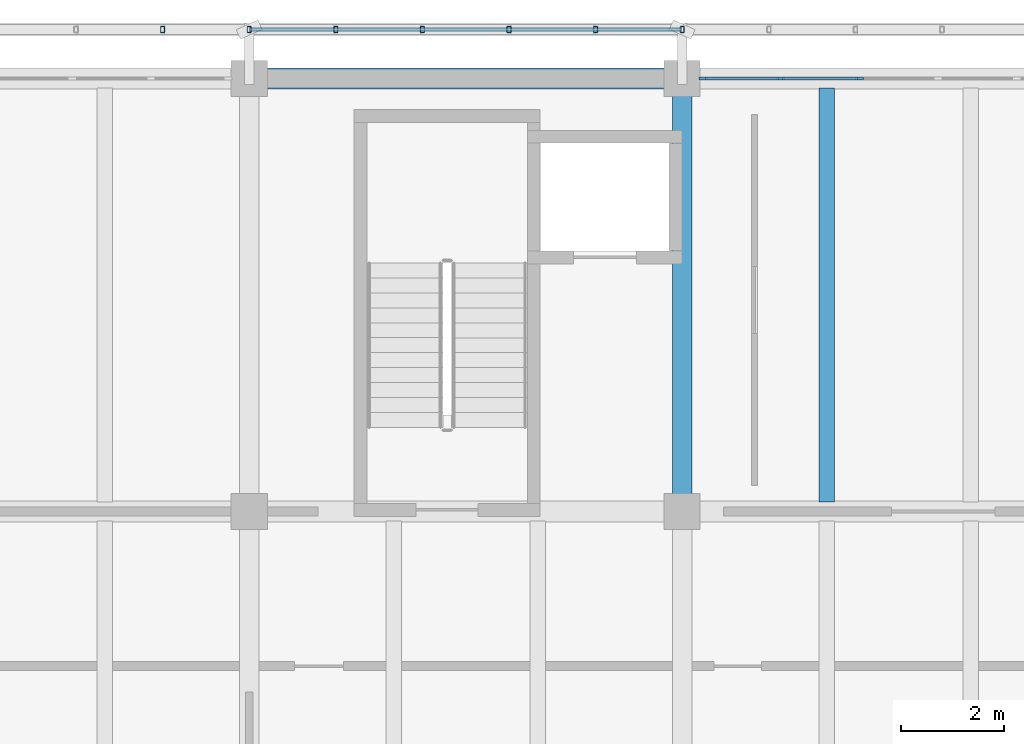
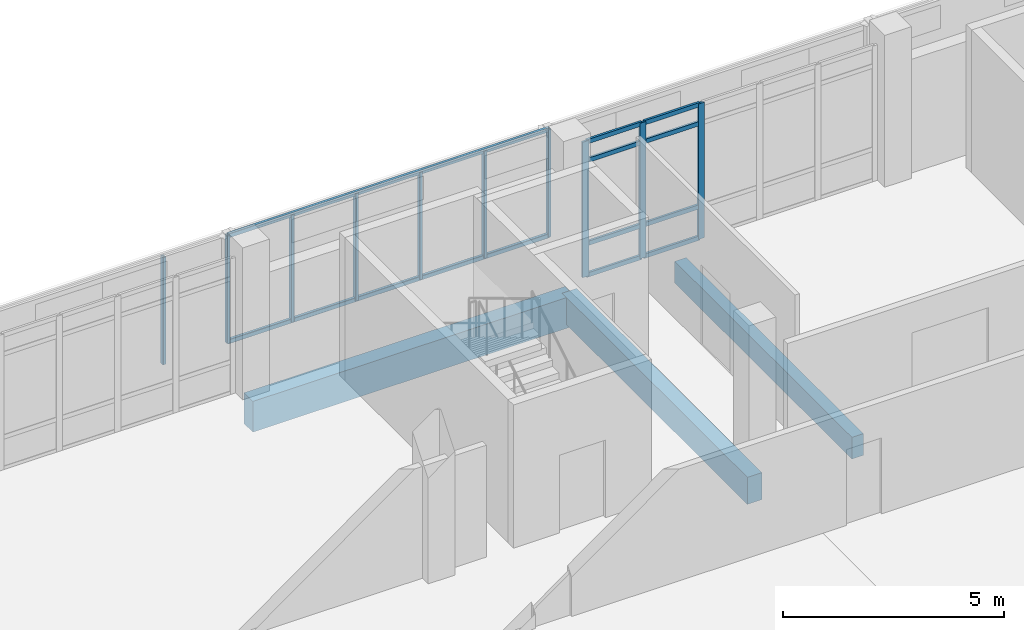
# One storey, part 52 of 137: 20 members, 3 beams, 1 element without a shape of its own.
"""IFC4 building model written with IfcOpenShell, lengths in metres."""

from ifc_helpers import new_model, si_unit, direction, frame, origin, origin_2d, place, context, subcontext, project, spatial, rectangle, hollow_rectangle, extrude, material, material_profile, profile_set, type_object, element, aggregate, save


model = new_model("IFC4")

# Units and contexts
model_context = context("Model", 3, precision=1e-05, world=origin(), true_north=direction((0.0, 1.0)))
body_context = subcontext(model_context, "Body", "Model", "MODEL_VIEW")
ifc_project = project(units=[si_unit("LENGTHUNIT", "METRE"), si_unit("AREAUNIT", "SQUARE_METRE"), si_unit("VOLUMEUNIT", "CUBIC_METRE"), si_unit("PLANEANGLEUNIT", "RADIAN"), si_unit("MASSUNIT", "GRAM", prefix="KILO")], contexts=[model_context])

# Site, building, storey
site_placement = place(None, origin())
site = spatial("IfcSite", under=ifc_project, at=site_placement, CompositionType="ELEMENT")
building_placement = place(site_placement, origin())
building = spatial("IfcBuilding", under=site, at=building_placement, Name="Cinderway Yard Community Centre", CompositionType="ELEMENT")
storey_placement = place(building_placement, frame((0.0, 0.0, 4.800048828125)))
storey = spatial("IfcBuildingStorey", under=building, at=storey_placement, Name="L01", CompositionType="ELEMENT", Elevation=4.800048828125)

# Curtain wall, members
ifc_material_1 = material(Name="Aluminium 6063-T6", Category="aluminium")
curtain_wall_type = type_object("IfcCurtainWallType", Name="ENV-CW-TYPE-26", PredefinedType="USERDEFINED", material=ifc_material_1)
curtain_wall_placement = place(storey_placement, origin())
curtain_wall = element("IfcCurtainWall", 1, at=curtain_wall_placement, inside=storey, type_object=curtain_wall_type, Name="V4 Street Curtain Wall ENV-CW-L01-ST-0126", ObjectType="GLAZED CURTAIN WALL", PredefinedType="USERDEFINED")
ifc_material_profile_1 = material_profile(ifc_material_1, rectangle(XDim=0.06005859375, YDim=0.159912109375, at=origin_2d()), Name="Aluminium 6063-T6")
ifc_profile_set_1 = profile_set([ifc_material_profile_1], Name="Aluminium 6063-T6")
member_type_1 = type_object("IfcMemberType", Name="ENV-CW-MULL-150", PredefinedType="MULLION", material=ifc_profile_set_1)
member_1_placement = place(storey_placement, frame((67.2099609375, 115.199951171875, 0.0), z_axis=(0.0, 0.0, 1.0), x_axis=(0.0, 1.0, 0.0)))
member_1 = element("IfcMember", 2, at=member_1_placement, type_object=member_type_1, Name="CW-26 mullion 1", PredefinedType="MULLION", context=body_context, shape_type="SweptSolid", body=[
    extrude(rectangle(XDim=0.06005859375, YDim=0.159912109375, at=origin_2d()), origin(), (0.0, 0.0, 1.0), 3.75),
])
member_2_placement = place(storey_placement, frame((68.7080078125, 115.199951171875, 0.0), z_axis=(0.0, 0.0, 1.0), x_axis=(0.0, 1.0, 0.0)))
member_2 = element("IfcMember", 3, at=member_2_placement, type_object=member_type_1, Name="CW-26 mullion 2", PredefinedType="MULLION", context=body_context, shape_type="SweptSolid", body=[
    extrude(rectangle(XDim=0.06005859375, YDim=0.159912109375, at=origin_2d()), origin(), (0.0, 0.0, 1.0), 3.75),
])
member_3_placement = place(storey_placement, frame((70.236083984375, 115.199951171875, 0.0), z_axis=(0.0, 0.0, 1.0), x_axis=(0.0, 1.0, 0.0)))
member_3 = element("IfcMember", 4, at=member_3_placement, type_object=member_type_1, Name="CW-26 mullion 3", PredefinedType="MULLION", context=body_context, shape_type="SweptSolid", body=[
    extrude(rectangle(XDim=0.06005859375, YDim=0.159912109375, at=origin_2d()), origin(), (0.0, 0.0, 1.0), 3.75),
])
ifc_material_profile_2 = material_profile(ifc_material_1, rectangle(XDim=0.06005859375, YDim=0.1201171875, at=origin_2d()), Name="Aluminium 6063-T6")
ifc_profile_set_2 = profile_set([ifc_material_profile_2], Name="Aluminium 6063-T6")
member_type_2 = type_object("IfcMemberType", Name="ENV-CW-TRAN-110", PredefinedType="USERDEFINED", material=ifc_profile_set_2)
member_4_placement = place(storey_placement, frame((67.239990234375, 115.199951171875, 0.030029296875), z_axis=(1.0, 0.0, 0.0), x_axis=(0.0, 1.0, 0.0)))
member_4 = element("IfcMember", 5, at=member_4_placement, type_object=member_type_2, Name="CW-26 transom 1.1", ObjectType="TRANSOM", PredefinedType="USERDEFINED", context=body_context, shape_type="SweptSolid", body=[
    extrude(rectangle(XDim=0.06005859375, YDim=0.1201171875, at=origin_2d()), origin(), (0.0, 0.0, 1.0), 1.43798828125),
])
member_5_placement = place(storey_placement, frame((67.239990234375, 115.199951171875, 0.89990234375), z_axis=(1.0, 0.0, 0.0), x_axis=(0.0, 1.0, 0.0)))
member_5 = element("IfcMember", 6, at=member_5_placement, type_object=member_type_2, Name="CW-26 transom 1.2", ObjectType="TRANSOM", PredefinedType="USERDEFINED", context=body_context, shape_type="SweptSolid", body=[
    extrude(rectangle(XDim=0.06005859375, YDim=0.1201171875, at=origin_2d()), origin(), (0.0, 0.0, 1.0), 1.43798828125),
])
member_6_placement = place(storey_placement, frame((67.239990234375, 115.199951171875, 3.199951171875), z_axis=(1.0, 0.0, 0.0), x_axis=(0.0, 1.0, 0.0)))
member_6 = element("IfcMember", 7, at=member_6_placement, type_object=member_type_2, Name="CW-26 transom 1.3", ObjectType="TRANSOM", PredefinedType="USERDEFINED", context=body_context, shape_type="SweptSolid", body=[
    extrude(rectangle(XDim=0.06005859375, YDim=0.1201171875, at=origin_2d()), origin(), (0.0, 0.0, 1.0), 1.43798828125),
])
member_7_placement = place(storey_placement, frame((67.239990234375, 115.199951171875, 3.719970703125), z_axis=(1.0, 0.0, 0.0), x_axis=(0.0, 1.0, 0.0)))
member_7 = element("IfcMember", 8, at=member_7_placement, type_object=member_type_2, Name="CW-26 transom 1.4", ObjectType="TRANSOM", PredefinedType="USERDEFINED", context=body_context, shape_type="SweptSolid", body=[
    extrude(rectangle(XDim=0.06005859375, YDim=0.1201171875, at=origin_2d()), origin(), (0.0, 0.0, 1.0), 1.43798828125),
])
member_8_placement = place(storey_placement, frame((68.738037109375, 115.199951171875, 0.030029296875), z_axis=(1.0, 0.0, 0.0), x_axis=(0.0, 1.0, 0.0)))
member_8 = element("IfcMember", 9, at=member_8_placement, type_object=member_type_2, Name="CW-26 transom 2.1", ObjectType="TRANSOM", PredefinedType="USERDEFINED", context=body_context, shape_type="SweptSolid", body=[
    extrude(rectangle(XDim=0.06005859375, YDim=0.1201171875, at=origin_2d()), origin(), (0.0, 0.0, 1.0), 1.468017578125),
])
member_9_placement = place(storey_placement, frame((68.738037109375, 115.199951171875, 0.89990234375), z_axis=(1.0, 0.0, 0.0), x_axis=(0.0, 1.0, 0.0)))
member_9 = element("IfcMember", 10, at=member_9_placement, type_object=member_type_2, Name="CW-26 transom 2.2", ObjectType="TRANSOM", PredefinedType="USERDEFINED", context=body_context, shape_type="SweptSolid", body=[
    extrude(rectangle(XDim=0.06005859375, YDim=0.1201171875, at=origin_2d()), origin(), (0.0, 0.0, 1.0), 1.468017578125),
])
member_10_placement = place(storey_placement, frame((68.738037109375, 115.199951171875, 3.199951171875), z_axis=(1.0, 0.0, 0.0), x_axis=(0.0, 1.0, 0.0)))
member_10 = element("IfcMember", 11, at=member_10_placement, type_object=member_type_2, Name="CW-26 transom 2.3", ObjectType="TRANSOM", PredefinedType="USERDEFINED", context=body_context, shape_type="SweptSolid", body=[
    extrude(rectangle(XDim=0.06005859375, YDim=0.1201171875, at=origin_2d()), origin(), (0.0, 0.0, 1.0), 1.468017578125),
])
member_11_placement = place(storey_placement, frame((68.738037109375, 115.199951171875, 3.719970703125), z_axis=(1.0, 0.0, 0.0), x_axis=(0.0, 1.0, 0.0)))
member_11 = element("IfcMember", 12, at=member_11_placement, type_object=member_type_2, Name="CW-26 transom 2.4", ObjectType="TRANSOM", PredefinedType="USERDEFINED", context=body_context, shape_type="SweptSolid", body=[
    extrude(rectangle(XDim=0.06005859375, YDim=0.1201171875, at=origin_2d()), origin(), (0.0, 0.0, 1.0), 1.468017578125),
])
aggregate(curtain_wall, [member_1, member_2, member_3, member_4, member_5, member_6, member_7, member_8, member_9, member_10, member_11])

# Members
ifc_material_2 = material(Name="Steel S355", Category="steel")
ifc_material_profile_3 = material_profile(ifc_material_2, hollow_rectangle(XDim=0.080078125, YDim=0.1201171875, WallThickness=0.00634765625, InnerFilletRadius=0.00634765625, OuterFilletRadius=0.0126953125, at=origin_2d()), Name="Steel S355")
ifc_profile_set_3 = profile_set([ifc_material_profile_3], Name="Steel S355")
member_type_3 = type_object("IfcMemberType", Name="ENV-MEM-SCREEN-RAIL-120", PredefinedType="STRINGER", material=ifc_profile_set_3)
for number, where, z_axis, x_axis, name in (
    (13, (56.719970703125, 116.14990234375, 0.68994140625), (0.0, 0.0, 1.0), (1.0, 0.0, 0.0), "Screen vertical mullion 0015"),
    (14, (58.39990234375, 116.14990234375, 0.68994140625), (0.0, 0.0, 1.0), (1.0, 0.0, 0.0), "Screen vertical mullion 0016"),
):
    element("IfcMember", number, at=place(storey_placement, frame(where, z_axis=z_axis, x_axis=x_axis)), inside=storey, type_object=member_type_3, Name=name, PredefinedType="STRINGER", context=body_context, shape_type="SweptSolid", body=[
        extrude(hollow_rectangle(XDim=0.080078125, YDim=0.1201171875, WallThickness=0.00634765625, InnerFilletRadius=0.00634765625, OuterFilletRadius=0.0126953125, at=origin_2d()), origin(), (0.0, 0.0, 1.0), 2.969970703125),
    ])
for number, where, z_axis, x_axis, name in (
    (15, (58.39990234375, 116.14990234375, 0.7099609375), (1.0, 0.0, 0.0), (0.0, 1.0, 0.0), "Screen support rail 0018-BOT"),
    (16, (58.39990234375, 116.14990234375, 3.639892578125), (1.0, 0.0, 0.0), (0.0, 1.0, 0.0), "Screen support rail 0019-TOP"),
):
    element("IfcMember", number, at=place(storey_placement, frame(where, z_axis=z_axis, x_axis=x_axis)), inside=storey, type_object=member_type_3, Name=name, PredefinedType="STRINGER", context=body_context, shape_type="SweptSolid", body=[
        extrude(hollow_rectangle(XDim=0.080078125, YDim=0.1201171875, WallThickness=0.00634765625, InnerFilletRadius=0.00634765625, OuterFilletRadius=0.0126953125, at=origin_2d()), origin(), (0.0, 0.0, 1.0), 8.400146484375),
    ])
for number, where, z_axis, x_axis, name in (
    (17, (60.080078125, 116.14990234375, 0.68994140625), (0.0, 0.0, 1.0), (1.0, 0.0, 0.0), "Screen vertical mullion 0020"),
    (18, (61.760009765625, 116.14990234375, 0.68994140625), (0.0, 0.0, 1.0), (1.0, 0.0, 0.0), "Screen vertical mullion 0021"),
    (19, (63.43994140625, 116.14990234375, 0.68994140625), (0.0, 0.0, 1.0), (1.0, 0.0, 0.0), "Screen vertical mullion 0022"),
    (20, (65.1201171875, 116.14990234375, 0.68994140625), (0.0, 0.0, 1.0), (1.0, 0.0, 0.0), "Screen vertical mullion 0023"),
    (21, (66.800048828125, 116.14990234375, 0.68994140625), (0.0, 0.0, 1.0), (1.0, 0.0, 0.0), "Screen vertical mullion 0024"),
):
    element("IfcMember", number, at=place(storey_placement, frame(where, z_axis=z_axis, x_axis=x_axis)), inside=storey, type_object=member_type_3, Name=name, PredefinedType="STRINGER", context=body_context, shape_type="SweptSolid", body=[
        extrude(hollow_rectangle(XDim=0.080078125, YDim=0.1201171875, WallThickness=0.00634765625, InnerFilletRadius=0.00634765625, OuterFilletRadius=0.0126953125, at=origin_2d()), origin(), (0.0, 0.0, 1.0), 2.969970703125),
    ])

# Beams
ifc_material_3 = material(Name="Concrete C35/45", Category="concrete")
ifc_material_profile_4 = material_profile(ifc_material_3, rectangle(XDim=0.300048828125, YDim=0.60009765625, at=origin_2d()), Name="Concrete C35/45")
ifc_profile_set_4 = profile_set([ifc_material_profile_4], Name="Concrete C35/45")
beam_type_1 = type_object("IfcBeamType", Name="STR-BM-RC300X600", PredefinedType="JOIST", material=ifc_profile_set_4)
beam_1_placement = place(storey_placement, frame((69.60009765625, 106.98193359375, -0.56005859375), z_axis=(0.0, 1.0, 0.0), x_axis=(-1.0, 0.0, 0.0)))
element("IfcBeam", 22, at=beam_1_placement, inside=storey, type_object=beam_type_1, Name="Secondary joist STR-BM-L01-BJ02-0279", PredefinedType="JOIST", context=body_context, shape_type="SweptSolid", body=[
    extrude(rectangle(XDim=0.300048828125, YDim=0.60009765625, at=origin_2d()), origin(), (0.0, 0.0, 1.0), 8.0361328125),
])
ifc_material_profile_5 = material_profile(ifc_material_3, rectangle(XDim=0.3798828125, YDim=0.75, at=origin_2d()), Name="Concrete C35/45")
ifc_profile_set_5 = profile_set([ifc_material_profile_5], Name="Concrete C35/45")
beam_type_2 = type_object("IfcBeamType", Name="STR-BM-RC380X750", PredefinedType="BEAM", material=ifc_profile_set_5)
beam_2_placement = place(storey_placement, frame((66.800048828125, 106.800048828125, -0.635009765625), z_axis=(0.0, 1.0, 0.0), x_axis=(-1.0, 0.0, 0.0)))
element("IfcBeam", 23, at=beam_2_placement, inside=storey, type_object=beam_type_2, Name="Transverse girder STR-BM-L01-BG06-0231", PredefinedType="BEAM", context=body_context, shape_type="SweptSolid", body=[
    extrude(rectangle(XDim=0.3798828125, YDim=0.75, at=origin_2d()), origin(), (0.0, 0.0, 1.0), 8.39990234375),
])
ifc_material_4 = material(Name="Concrete C40/50", Category="concrete")
ifc_material_profile_6 = material_profile(ifc_material_4, rectangle(XDim=0.39990234375, YDim=0.85009765625, at=origin_2d()), Name="Concrete C40/50")
ifc_profile_set_6 = profile_set([ifc_material_profile_6], Name="Concrete C40/50")
beam_type_3 = type_object("IfcBeamType", Name="STR-BM-RC400X850", PredefinedType="BEAM", material=ifc_profile_set_6)
beam_3_placement = place(storey_placement, frame((58.39990234375, 115.199951171875, -0.68505859375), z_axis=(1.0, 0.0, 0.0), x_axis=(0.0, 1.0, 0.0)))
element("IfcBeam", 24, at=beam_3_placement, inside=storey, type_object=beam_type_3, Name="Primary girder STR-BM-L01-BG04-0210", PredefinedType="BEAM", context=body_context, shape_type="SweptSolid", body=[
    extrude(rectangle(XDim=0.39990234375, YDim=0.85009765625, at=origin_2d()), origin(), (0.0, 0.0, 1.0), 8.400146484375),
])

save(model, "model.ifc")
